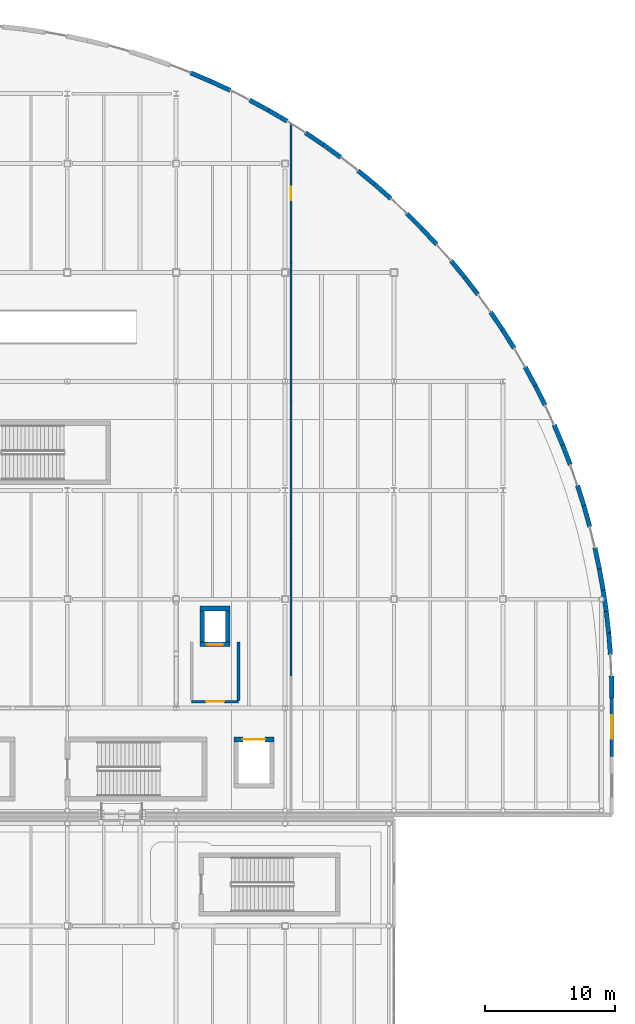
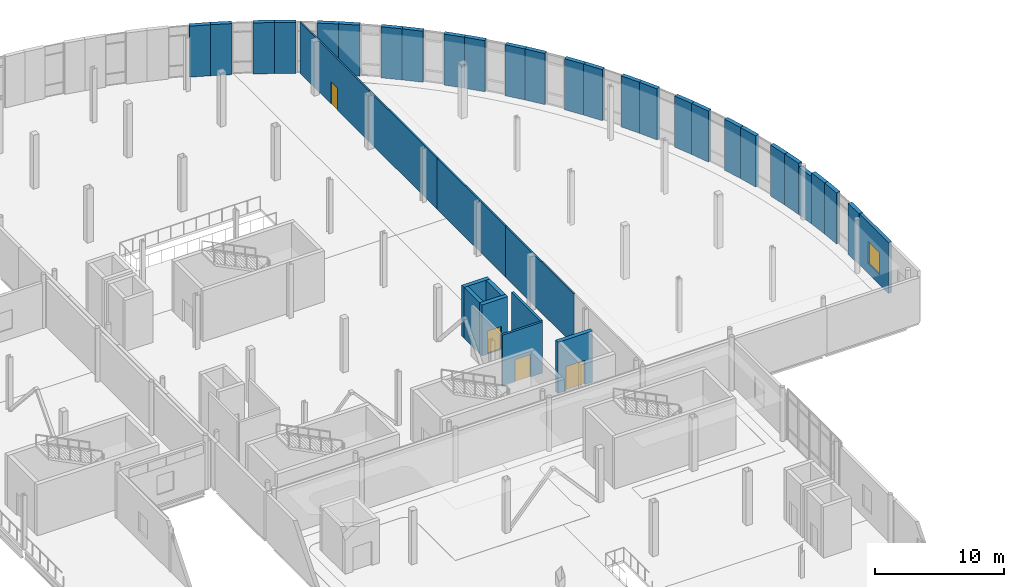
# One storey, part 73 of 104: 38 walls, 4 doors, 1 window, 5 openings.
"""IFC4 building model written with IfcOpenShell, lengths in metres."""

from ifc_helpers import new_model, si_unit, direction, frame, frame_2d, origin, place, context, subcontext, project, spatial, rectangle, extrude, material, layer, layer_set, type_object, element, fill, save


model = new_model("IFC4")

# Units and contexts
model_context = context("Model", 3, precision=1e-05, world=origin(), true_north=direction((0.0, 1.0)))
body_context = subcontext(model_context, "Body", "Model", "MODEL_VIEW")
ifc_project = project(units=[si_unit("LENGTHUNIT", "METRE"), si_unit("AREAUNIT", "SQUARE_METRE"), si_unit("VOLUMEUNIT", "CUBIC_METRE"), si_unit("PLANEANGLEUNIT", "RADIAN"), si_unit("MASSUNIT", "GRAM", prefix="KILO"), si_unit("THERMODYNAMICTEMPERATUREUNIT", "KELVIN")], contexts=[model_context])

# Site, building, storey
site_placement = place(None, origin())
site = spatial("IfcSite", under=ifc_project, at=site_placement, CompositionType="ELEMENT")
building_placement = place(site_placement, origin())
building = spatial("IfcBuilding", under=site, at=building_placement, Name="Lustrewick Department Store", CompositionType="ELEMENT")
storey_placement = place(building_placement, frame((0.0, 0.0, 11.39990234375)))
storey = spatial("IfcBuildingStorey", under=building, at=storey_placement, Name="L03", CompositionType="ELEMENT", Elevation=11.39990234375)

# Wall, opening, window
ifc_material_1 = material(Name="Precast concrete C40", Category="concrete")
ifc_layer_1 = layer(ifc_material_1, 0.280029296875, Name="Precast concrete C40")
ifc_layer_set_1 = layer_set([ifc_layer_1], Name="Precast concrete C40")
wall_type_1 = type_object("IfcWallType", Name="EW03", PredefinedType="STANDARD", material=ifc_layer_set_1)
wall_1_placement = place(storey_placement, frame((168.0, 55.074951171875, 0.0), z_axis=(0.0, 0.0, 1.0), x_axis=(0.0, 1.0, 0.0)))
wall_1 = element("IfcWall", 1, at=wall_1_placement, inside=storey, type_object=wall_type_1, Name="L03 V4 Exterior Wall EW03", PredefinedType="STANDARD", context=body_context, shape_type="SweptSolid", body=[
    extrude(rectangle(XDim=4.525146484375, YDim=0.280029296875, at=frame_2d((2.2626953125, 0.0))), origin(), (0.0, 0.0, 1.0), 4.84521484375),
])
opening_1_placement = place(wall_1_placement, frame((1.362548828125, 0.0, 0.949951171875)))
opening_1 = element("IfcOpeningElement", 2, at=opening_1_placement, cuts=wall_1, Name="Opening WN10", PredefinedType="OPENING", context=body_context, shape_type="SweptSolid", body=[
    extrude(rectangle(XDim=1.800048828125, YDim=2.10009765625, at=frame_2d((0.89990234375, 1.050048828125))), frame((0.0, 0.14990234375, 0.0), z_axis=(0.0, -1.0, 0.0), x_axis=(1.0, 0.0, 0.0)), (0.0, 0.0, 1.0), 0.300048828125),
])
ifc_material_2 = material(Name="Thermally broken Low-E triple-glazed window", Category="glass")
window_type = type_object("IfcWindowType", Name="WN10", PartitioningType="DOUBLE_PANEL_VERTICAL", PredefinedType="WINDOW", material=ifc_material_2)
window_placement = place(opening_1_placement, origin())
window = element("IfcWindow", 3, at=window_placement, inside=storey, type_object=window_type, Name="L03 Art Nouveau Window WN10", OverallHeight=2.10009765625, OverallWidth=1.800048828125, PartitioningType="SINGLE_PANEL", PredefinedType="WINDOW", context=body_context, shape_type="SweptSolid", body=[
    extrude(rectangle(XDim=1.800048828125, YDim=2.10009765625, at=frame_2d((0.89990234375, 1.050048828125))), frame((0.0, 0.030029296875, 0.0), z_axis=(0.0, -1.0, 0.0), x_axis=(1.0, 0.0, 0.0)), (0.0, 0.0, 1.0), 0.06005859375),
])
fill(opening_1, window)

# Walls
ifc_layer_2 = layer(ifc_material_1, 0.35009765625, Name="Precast concrete C40")
ifc_layer_set_2 = layer_set([ifc_layer_2], Name="Precast concrete C40")
wall_type_2 = type_object("IfcWallType", Name="EW06", PredefinedType="STANDARD", material=ifc_layer_set_2)
wall_2_placement = place(storey_placement, frame((168.0, 59.60009765625, 0.0), z_axis=(0.0, 0.0, 1.0), x_axis=(-0.015966320801, 0.999872530176, 0.0)))
element("IfcWall", 4, at=wall_2_placement, inside=storey, type_object=wall_type_2, Name="L03 V4 Exterior Wall EW06", PredefinedType="STANDARD", context=body_context, shape_type="SweptSolid", body=[
    extrude(rectangle(XDim=1.666748046875, YDim=0.35009765625, at=frame_2d((0.83349609375, 0.0))), origin(), (0.0, 0.0, 1.0), 4.84521484375),
])
wall_3_placement = place(storey_placement, frame((167.893310546875, 62.931640625, 0.0), z_axis=(0.0, 0.0, 1.0), x_axis=(-0.080111941316, 0.996785873123, 0.0)))
element("IfcWall", 5, at=wall_3_placement, inside=storey, type_object=wall_type_2, Name="L03 V4 Exterior Wall EW06", PredefinedType="STANDARD", context=body_context, shape_type="SweptSolid", body=[
    extrude(rectangle(XDim=1.6669921875, YDim=0.35009765625, at=frame_2d((0.83349609375, 0.0))), origin(), (0.0, 0.0, 1.0), 4.84521484375),
])
wall_4_placement = place(storey_placement, frame((167.759765625, 64.59326171875, 0.0), z_axis=(0.0, 0.0, 1.0), x_axis=(-0.112055133137, 0.993701991111, 0.0)))
element("IfcWall", 6, at=wall_4_placement, inside=storey, type_object=wall_type_2, Name="L03 V4 Exterior Wall EW06", PredefinedType="STANDARD", context=body_context, shape_type="SweptSolid", body=[
    extrude(rectangle(XDim=1.666748046875, YDim=0.35009765625, at=frame_2d((0.83349609375, 0.0))), origin(), (0.0, 0.0, 1.0), 4.84521484375),
])
wall_5_placement = place(storey_placement, frame((167.572998046875, 66.24951171875, 0.0), z_axis=(0.0, 0.0, 1.0), x_axis=(-0.143676460631, 0.989624714051, 0.0)))
element("IfcWall", 7, at=wall_5_placement, inside=storey, type_object=wall_type_2, Name="L03 V4 Exterior Wall EW06", PredefinedType="STANDARD", context=body_context, shape_type="SweptSolid", body=[
    extrude(rectangle(XDim=1.6669921875, YDim=0.35009765625, at=frame_2d((0.83349609375, 0.0))), origin(), (0.0, 0.0, 1.0), 4.487060546875),
])
for number, where, z_axis, x_axis, name in (
    (8, (167.33349609375, 67.899169921875, 0.0), (0.0, 0.0, 1.0), (-0.175456075248, 0.984487260282, 0.0), "L03 V4 Exterior Wall EW06"),
    (9, (167.041015625, 69.540283203125, 0.0), (0.0, 0.0, 1.0), (-0.206807613682, 0.978381628468, 0.0), "L03 V4 Exterior Wall EW06"),
    (10, (166.29931640625, 72.7900390625, 0.0), (0.0, 0.0, 1.0), (-0.269184447228, 0.96308864253, 0.0), "L03 V4 Exterior Wall EW06"),
):
    element("IfcWall", number, at=place(storey_placement, frame(where, z_axis=z_axis, x_axis=x_axis)), inside=storey, type_object=wall_type_2, Name=name, PredefinedType="STANDARD", context=body_context, shape_type="SweptSolid", body=[
        extrude(rectangle(XDim=1.6669921875, YDim=0.35009765625, at=frame_2d((0.83349609375, 0.0))), origin(), (0.0, 0.0, 1.0), 4.84521484375),
    ])
wall_6_placement = place(storey_placement, frame((165.8505859375, 74.3955078125, 0.0), z_axis=(0.0, 0.0, 1.0), x_axis=(-0.299834214299, 0.953991322778, 0.0)))
element("IfcWall", 11, at=wall_6_placement, inside=storey, type_object=wall_type_2, Name="L03 V4 Exterior Wall EW06", PredefinedType="STANDARD", context=body_context, shape_type="SweptSolid", body=[
    extrude(rectangle(XDim=1.666748046875, YDim=0.35009765625, at=frame_2d((0.83349609375, 0.0))), origin(), (0.0, 0.0, 1.0), 4.84521484375),
])
wall_7_placement = place(storey_placement, frame((164.80029296875, 77.55908203125, 0.0), z_axis=(0.0, 0.0, 1.0), x_axis=(-0.360303696609, 0.932835058416, 0.0)))
element("IfcWall", 12, at=wall_7_placement, inside=storey, type_object=wall_type_2, Name="L03 V4 Exterior Wall EW06", PredefinedType="STANDARD", context=body_context, shape_type="SweptSolid", body=[
    extrude(rectangle(XDim=1.6669921875, YDim=0.35009765625, at=frame_2d((0.83349609375, 0.0))), origin(), (0.0, 0.0, 1.0), 4.84521484375),
])
for number, where, z_axis, x_axis, name in (
    (13, (164.19970703125, 79.114013671875, 0.0), (0.0, 0.0, 1.0), (-0.39007957399, 0.92078114987, 0.0), "L03 V4 Exterior Wall EW06"),
    (14, (162.850341796875, 82.162109375, 0.0), (0.0, 0.0, 1.0), (-0.448209338965, 0.893928626046, 0.0), "L03 V4 Exterior Wall EW06"),
    (15, (162.103271484375, 83.652099609375, 0.0), (0.0, 0.0, 1.0), (-0.476787978947, 0.879018329235, 0.0), "L03 V4 Exterior Wall EW06"),
    (16, (160.46728515625, 86.556396484375, 0.0), (0.0, 0.0, 1.0), (-0.531985550055, 0.846753431958, 0.0), "L03 V4 Exterior Wall EW06"),
):
    element("IfcWall", number, at=place(storey_placement, frame(where, z_axis=z_axis, x_axis=x_axis)), inside=storey, type_object=wall_type_2, Name=name, PredefinedType="STANDARD", context=body_context, shape_type="SweptSolid", body=[
        extrude(rectangle(XDim=1.666748046875, YDim=0.35009765625, at=frame_2d((0.83349609375, 0.0))), origin(), (0.0, 0.0, 1.0), 4.84521484375),
    ])
for number, where, z_axis, x_axis, name in (
    (17, (159.58056640625, 87.9677734375, 0.0), (0.0, 0.0, 1.0), (-0.558884114605, 0.829245769626, 0.0), "L03 V4 Exterior Wall EW06"),
    (18, (157.673583984375, 90.70166015625, 0.0), (0.0, 0.0, 1.0), (-0.610863788379, 0.791735708458, 0.0), "L03 V4 Exterior Wall EW06"),
    (19, (156.6552734375, 92.021484375, 0.0), (0.0, 0.0, 1.0), (-0.63595364507, 0.771727258377, 0.0), "L03 V4 Exterior Wall EW06"),
):
    element("IfcWall", number, at=place(storey_placement, frame(where, z_axis=z_axis, x_axis=x_axis)), inside=storey, type_object=wall_type_2, Name=name, PredefinedType="STANDARD", context=body_context, shape_type="SweptSolid", body=[
        extrude(rectangle(XDim=1.6669921875, YDim=0.35009765625, at=frame_2d((0.83349609375, 0.0))), origin(), (0.0, 0.0, 1.0), 4.84521484375),
    ])
wall_8_placement = place(storey_placement, frame((154.494384765625, 94.5595703125, 0.0), z_axis=(0.0, 0.0, 1.0), x_axis=(-0.684038569811, 0.72944584104, 0.0)))
element("IfcWall", 20, at=wall_8_placement, inside=storey, type_object=wall_type_2, Name="L03 V4 Exterior Wall EW06", PredefinedType="STANDARD", context=body_context, shape_type="SweptSolid", body=[
    extrude(rectangle(XDim=1.666748046875, YDim=0.35009765625, at=frame_2d((0.83349609375, 0.0))), origin(), (0.0, 0.0, 1.0), 4.84521484375),
])
for number, where, z_axis, x_axis, name in (
    (21, (153.354248046875, 95.775390625, 0.0), (0.0, 0.0, 1.0), (-0.707106781187, 0.707106781187, 0.0), "L03 V4 Exterior Wall EW06"),
    (22, (150.959716796875, 98.094482421875, 0.0), (0.0, 0.0, 1.0), (-0.750913960524, 0.660400048372, 0.0), "L03 V4 Exterior Wall EW06"),
    (23, (149.7080078125, 99.1953125, 0.0), (0.0, 0.0, 1.0), (-0.771858358272, 0.63579452244, 0.0), "L03 V4 Exterior Wall EW06"),
    (24, (147.101806640625, 101.2734375, 0.0), (0.0, 0.0, 1.0), (-0.810883849923, 0.585207127378, 0.0), "L03 V4 Exterior Wall EW06"),
):
    element("IfcWall", number, at=place(storey_placement, frame(where, z_axis=z_axis, x_axis=x_axis)), inside=storey, type_object=wall_type_2, Name=name, PredefinedType="STANDARD", context=body_context, shape_type="SweptSolid", body=[
        extrude(rectangle(XDim=1.6669921875, YDim=0.35009765625, at=frame_2d((0.83349609375, 0.0))), origin(), (0.0, 0.0, 1.0), 4.84521484375),
    ])
for number, where, z_axis, x_axis, name in (
    (25, (145.75, 102.2490234375, 0.0), (0.0, 0.0, 1.0), (-0.82920001489, 0.558951997319, 0.0), "L03 V4 Exterior Wall EW06"),
    (26, (142.956298828125, 104.0673828125, 0.0), (0.0, 0.0, 1.0), (-0.863279121384, 0.504726815794, 0.0), "L03 V4 Exterior Wall EW06"),
    (27, (141.517333984375, 104.90869140625, 0.0), (0.0, 0.0, 1.0), (-0.879112994826, 0.476613409724, 0.0), "L03 V4 Exterior Wall EW06"),
):
    element("IfcWall", number, at=place(storey_placement, frame(where, z_axis=z_axis, x_axis=x_axis)), inside=storey, type_object=wall_type_2, Name=name, PredefinedType="STANDARD", context=body_context, shape_type="SweptSolid", body=[
        extrude(rectangle(XDim=1.666748046875, YDim=0.35009765625, at=frame_2d((0.83349609375, 0.0))), origin(), (0.0, 0.0, 1.0), 4.84521484375),
    ])
wall_9_placement = place(storey_placement, frame((138.56201171875, 106.450439453125, 0.0), z_axis=(0.0, 0.0, 1.0), x_axis=(-0.907852195258, 0.419290342801, 0.0)))
element("IfcWall", 28, at=wall_9_placement, inside=storey, type_object=wall_type_2, Name="L03 V4 Exterior Wall EW06", PredefinedType="STANDARD", context=body_context, shape_type="SweptSolid", body=[
    extrude(rectangle(XDim=1.6669921875, YDim=0.35009765625, at=frame_2d((0.83349609375, 0.0))), origin(), (0.0, 0.0, 1.0), 4.84521484375),
])
wall_10_placement = place(storey_placement, frame((137.048583984375, 107.1494140625, 0.0), z_axis=(0.0, 0.0, 1.0), x_axis=(-0.920728531671, 0.390203755706, 0.0)))
element("IfcWall", 29, at=wall_10_placement, inside=storey, type_object=wall_type_2, Name="L03 V4 Exterior Wall EW06", PredefinedType="STANDARD", context=body_context, shape_type="SweptSolid", body=[
    extrude(rectangle(XDim=1.666748046875, YDim=0.35009765625, at=frame_2d((0.83349609375, 0.0))), origin(), (0.0, 0.0, 1.0), 4.84521484375),
])

# Wall, opening, door
ifc_material_3 = material(Name="Autoclaved aerated concrete blockwork and fire board", Category="masonry")
ifc_layer_3 = layer(ifc_material_3, 0.205078125, Name="Autoclaved aerated concrete blockwork and fire board")
ifc_layer_set_3 = layer_set([ifc_layer_3], Name="Autoclaved aerated concrete blockwork and fire board")
wall_type_3 = type_object("IfcWallType", Name="PW02", PredefinedType="PARTITIONING", material=ifc_layer_set_3)
wall_11_placement = place(storey_placement, frame((135.60009765625, 59.300048828125, 0.0), z_axis=(0.0, 0.0, 1.0), x_axis=(1.0, 0.0, 0.0)))
wall_11 = element("IfcWall", 30, at=wall_11_placement, inside=storey, type_object=wall_type_3, Name="L03 Firefighting Lift Lobby FFL-03 PW02", PredefinedType="PARTITIONING", context=body_context, shape_type="SweptSolid", body=[
    extrude(rectangle(XDim=3.599853515625, YDim=0.205078125, at=frame_2d((1.7998046875, 0.0))), origin(), (0.0, 0.0, 1.0), 4.84521484375),
])
opening_2_placement = place(wall_11_placement, frame((1.10009765625, 0.0, 0.0)))
opening_2 = element("IfcOpeningElement", 31, at=opening_2_placement, cuts=wall_11, Name="Opening D-L03-054", PredefinedType="OPENING", context=body_context, shape_type="SweptSolid", body=[
    extrude(rectangle(XDim=1.39990234375, YDim=2.14990234375, at=frame_2d((0.699951171875, 1.074951171875))), frame((0.0, 0.112548828125, 0.0), z_axis=(0.0, -1.0, 0.0), x_axis=(1.0, 0.0, 0.0)), (0.0, 0.0, 1.0), 0.22509765625),
])
ifc_material_4 = material(Name="Steel fire door Class B EI 60", Category="steel")
door_type_1 = type_object("IfcDoorType", Name="DT-08", OperationType="NOTDEFINED", PredefinedType="DOOR", material=ifc_material_4)
door_1_placement = place(opening_2_placement, origin())
door_1 = element("IfcDoor", 32, at=door_1_placement, inside=storey, type_object=door_type_1, Name="L03 Firefighting Lift Lobby FFL-03 Door D-L03-054", OperationType="SINGLE_SWING_RIGHT", OverallHeight=2.14990234375, OverallWidth=1.39990234375, PredefinedType="DOOR", context=body_context, shape_type="SweptSolid", body=[
    extrude(rectangle(XDim=1.39990234375, YDim=2.14990234375, at=frame_2d((0.699951171875, 1.074951171875))), frame((0.0, 0.02490234375, 0.0), z_axis=(0.0, -1.0, 0.0), x_axis=(1.0, 0.0, 0.0)), (0.0, 0.0, 1.0), 0.050048828125),
])
fill(opening_2, door_1)

# Wall
wall_12_placement = place(storey_placement, frame((139.199951171875, 59.3974609375, 0.0), z_axis=(0.0, 0.0, 1.0), x_axis=(0.0, 1.0, 0.0)))
element("IfcWall", 33, at=wall_12_placement, inside=storey, type_object=wall_type_3, Name="L03 Firefighting Lift Lobby FFL-03 PW02", PredefinedType="PARTITIONING", context=body_context, shape_type="SweptSolid", body=[
    extrude(rectangle(XDim=4.50244140625, YDim=0.205078125, at=frame_2d((2.251220703125, 0.0))), origin(), (0.0, 0.0, 1.0), 4.84521484375),
])

# Wall, opening, door
ifc_material_5 = material(Name="Acoustic gypsum stud corridor partition", Category="gypsum")
ifc_layer_4 = layer(ifc_material_5, 0.135009765625, Name="Acoustic gypsum stud corridor partition")
ifc_layer_set_4 = layer_set([ifc_layer_4], Name="Acoustic gypsum stud corridor partition")
wall_type_4 = type_object("IfcWallType", Name="PW06", PredefinedType="PARTITIONING", material=ifc_layer_set_4)
wall_13_placement = place(storey_placement, frame((143.248291015625, 103.8603515625, 0.0), z_axis=(0.0, 0.0, 1.0), x_axis=(0.0, -1.0, 0.0)))
wall_13 = element("IfcWall", 34, at=wall_13_placement, inside=storey, type_object=wall_type_4, Name="L03 Merchandise Selection Studio PW06", PredefinedType="PARTITIONING", context=body_context, shape_type="SweptSolid", body=[
    extrude(rectangle(XDim=10.747314453125, YDim=0.135009765625, at=frame_2d((5.37353515625, 0.0))), origin(), (0.0, 0.0, 1.0), 4.84521484375),
])
opening_3_placement = place(wall_13_placement, frame((4.8486328125, 0.0, 0.0)))
opening_3 = element("IfcOpeningElement", 35, at=opening_3_placement, cuts=wall_13, Name="Opening D-L03-056", PredefinedType="OPENING", context=body_context, shape_type="SweptSolid", body=[
    extrude(rectangle(XDim=1.050048828125, YDim=2.10009765625, at=frame_2d((0.52490234375, 1.050048828125))), frame((0.0, 0.07763671875, 0.0), z_axis=(0.0, -1.0, 0.0), x_axis=(1.0, 0.0, 0.0)), (0.0, 0.0, 1.0), 0.155029296875),
])
ifc_material_6 = material(Name="Acoustic oak veneer office door", Category="wood")
door_type_2 = type_object("IfcDoorType", Name="DT-10", OperationType="NOTDEFINED", PredefinedType="DOOR", material=ifc_material_6)
door_2_placement = place(opening_3_placement, origin())
door_2 = element("IfcDoor", 36, at=door_2_placement, inside=storey, type_object=door_type_2, Name="L03 Merchandise Selection Studio Door D-L03-056", OperationType="SINGLE_SWING_RIGHT", OverallHeight=2.10009765625, OverallWidth=1.050048828125, PredefinedType="DOOR", context=body_context, shape_type="SweptSolid", body=[
    extrude(rectangle(XDim=1.050048828125, YDim=2.10009765625, at=frame_2d((0.52490234375, 1.050048828125))), frame((0.0, 0.02490234375, 0.0), z_axis=(0.0, -1.0, 0.0), x_axis=(1.0, 0.0, 0.0)), (0.0, 0.0, 1.0), 0.050048828125),
])
fill(opening_3, door_2)

# Walls
wall_14_placement = place(storey_placement, frame((143.248291015625, 93.113037109375, 0.0), z_axis=(0.0, 0.0, 1.0), x_axis=(0.0, -1.0, 0.0)))
element("IfcWall", 37, at=wall_14_placement, inside=storey, type_object=wall_type_4, Name="L03 Merchandise Selection Studio PW06", PredefinedType="PARTITIONING", context=body_context, shape_type="SweptSolid", body=[
    extrude(rectangle(XDim=10.60595703125, YDim=0.135009765625, at=frame_2d((5.302978515625, 0.0))), origin(), (0.0, 0.0, 1.0), 4.84521484375),
])
wall_15_placement = place(storey_placement, frame((143.248291015625, 82.507080078125, 0.0), z_axis=(0.0, 0.0, 1.0), x_axis=(0.0, -1.0, 0.0)))
element("IfcWall", 38, at=wall_15_placement, inside=storey, type_object=wall_type_4, Name="L03 Merchandise Selection Studio PW06", PredefinedType="PARTITIONING", context=body_context, shape_type="SweptSolid", body=[
    extrude(rectangle(XDim=10.60546875, YDim=0.135009765625, at=frame_2d((5.302734375, 0.0))), origin(), (0.0, 0.0, 1.0), 4.84521484375),
])
wall_16_placement = place(storey_placement, frame((143.248291015625, 71.901611328125, 0.0), z_axis=(0.0, 0.0, 1.0), x_axis=(0.0, -1.0, 0.0)))
element("IfcWall", 39, at=wall_16_placement, inside=storey, type_object=wall_type_4, Name="L03 Merchandise Selection Studio PW06", PredefinedType="PARTITIONING", context=body_context, shape_type="SweptSolid", body=[
    extrude(rectangle(XDim=10.60595703125, YDim=0.135009765625, at=frame_2d((5.302978515625, 0.0))), origin(), (0.0, 0.0, 1.0), 4.84521484375),
])

# Wall, opening, door
ifc_material_7 = material(Name="Concrete C40", Category="concrete")
ifc_layer_5 = layer(ifc_material_7, 0.360107421875, Name="Concrete C40")
ifc_layer_set_5 = layer_set([ifc_layer_5], Name="Concrete C40")
wall_type_5 = type_object("IfcWallType", Name="SW04", PredefinedType="SHEAR", material=ifc_layer_set_5)
wall_17_placement = place(storey_placement, frame((136.239990234375, 63.719970703125, 0.0), z_axis=(0.0, 0.0, 1.0), x_axis=(1.0, 0.0, 0.0)))
wall_17 = element("IfcWall", 40, at=wall_17_placement, inside=storey, type_object=wall_type_5, Name="L03 Lift FFL-03 Shaft Wall -Y", PredefinedType="SHEAR", context=body_context, shape_type="SweptSolid", body=[
    extrude(rectangle(XDim=2.320068359375, YDim=0.360107421875, at=frame_2d((1.16015625, 0.0))), origin(), (0.0, 0.0, 1.0), 4.84521484375),
])
opening_4_placement = place(wall_17_placement, frame((0.534912109375, 0.0, 0.0)))
opening_4 = element("IfcOpeningElement", 41, at=opening_4_placement, cuts=wall_17, Name="Opening LD-L03-03", PredefinedType="OPENING", context=body_context, shape_type="SweptSolid", body=[
    extrude(rectangle(XDim=1.25, YDim=2.199951171875, at=frame_2d((0.625, 1.10009765625))), frame((0.0, 0.18994140625, 0.0), z_axis=(0.0, -1.0, 0.0), x_axis=(1.0, 0.0, 0.0)), (0.0, 0.0, 1.0), 0.380126953125),
])
ifc_material_8 = material(Name="Stainless steel firefighting lift landing door EI 90", Category="steel")
door_type_3 = type_object("IfcDoorType", Name="DT-15", OperationType="NOTDEFINED", PredefinedType="DOOR", material=ifc_material_8)
door_3_placement = place(opening_4_placement, frame((1.25, 0.0, 0.0), z_axis=(0.0, 0.0, 1.0), x_axis=(-1.0, 0.0, 0.0)))
door_3 = element("IfcDoor", 42, at=door_3_placement, inside=storey, type_object=door_type_3, Name="L03 Lift FFL-03 Sliding Landing Door LD-L03-03", OperationType="DOUBLE_DOOR_SLIDING", OverallHeight=2.199951171875, OverallWidth=1.25, PredefinedType="DOOR", context=body_context, shape_type="SweptSolid", body=[
    extrude(rectangle(XDim=1.25, YDim=2.199951171875, at=frame_2d((0.625, 1.10009765625))), frame((0.0, 0.02490234375, 0.0), z_axis=(0.0, -1.0, 0.0), x_axis=(1.0, 0.0, 0.0)), (0.0, 0.0, 1.0), 0.050048828125),
])
fill(opening_4, door_3)

# Walls
wall_18_placement = place(storey_placement, frame((138.3798828125, 63.89990234375, 0.0), z_axis=(0.0, 0.0, 1.0), x_axis=(0.0, 1.0, 0.0)))
element("IfcWall", 43, at=wall_18_placement, inside=storey, type_object=wall_type_5, Name="L03 Lift FFL-03 Shaft Wall +X", PredefinedType="SHEAR", context=body_context, shape_type="SweptSolid", body=[
    extrude(rectangle(XDim=2.400146484375, YDim=0.360107421875, at=frame_2d((1.2001953125, 0.0))), origin(), (0.0, 0.0, 1.0), 4.84521484375),
])
wall_19_placement = place(storey_placement, frame((138.56005859375, 66.47998046875, 0.0), z_axis=(0.0, 0.0, 1.0), x_axis=(-1.0, 0.0, 0.0)))
element("IfcWall", 44, at=wall_19_placement, inside=storey, type_object=wall_type_5, Name="L03 Lift FFL-03 Shaft Wall +Y", PredefinedType="SHEAR", context=body_context, shape_type="SweptSolid", body=[
    extrude(rectangle(XDim=2.320068359375, YDim=0.360107421875, at=frame_2d((1.16015625, 0.0))), origin(), (0.0, 0.0, 1.0), 4.84521484375),
])
wall_20_placement = place(storey_placement, frame((136.419921875, 66.300048828125, 0.0), z_axis=(0.0, 0.0, 1.0), x_axis=(0.0, -1.0, 0.0)))
element("IfcWall", 45, at=wall_20_placement, inside=storey, type_object=wall_type_5, Name="L03 Lift FFL-03 Shaft Wall -X", PredefinedType="SHEAR", context=body_context, shape_type="SweptSolid", body=[
    extrude(rectangle(XDim=2.400146484375, YDim=0.360107421875, at=frame_2d((1.2001953125, 0.0))), origin(), (0.0, 0.0, 1.0), 4.84521484375),
])

# Wall, opening, door
wall_21_placement = place(storey_placement, frame((141.9599609375, 56.3798828125, 0.0), z_axis=(0.0, 0.0, 1.0), x_axis=(-1.0, 0.0, 0.0)))
wall_21 = element("IfcWall", 46, at=wall_21_placement, inside=storey, type_object=wall_type_5, Name="L03 Lift GL-04 Shaft Wall +Y", PredefinedType="SHEAR", context=body_context, shape_type="SweptSolid", body=[
    extrude(rectangle(XDim=3.119873046875, YDim=0.360107421875, at=frame_2d((1.56005859375, 0.0))), origin(), (0.0, 0.0, 1.0), 4.84521484375),
])
opening_5_placement = place(wall_21_placement, frame((0.7099609375, 0.0, 0.0)))
opening_5 = element("IfcOpeningElement", 47, at=opening_5_placement, cuts=wall_21, Name="Opening LD-L03-16", PredefinedType="OPENING", context=body_context, shape_type="SweptSolid", body=[
    extrude(rectangle(XDim=1.699951171875, YDim=2.300048828125, at=frame_2d((0.85009765625, 1.14990234375))), frame((0.0, 0.18994140625, 0.0), z_axis=(0.0, -1.0, 0.0), x_axis=(1.0, 0.0, 0.0)), (0.0, 0.0, 1.0), 0.380126953125),
])
ifc_material_9 = material(Name="Heavy-duty stainless goods lift landing door EI 90", Category="steel")
door_type_4 = type_object("IfcDoorType", Name="DT-17", OperationType="NOTDEFINED", PredefinedType="DOOR", material=ifc_material_9)
door_4_placement = place(opening_5_placement, frame((1.699951171875, 0.0, 0.0), z_axis=(0.0, 0.0, 1.0), x_axis=(-1.0, 0.0, 0.0)))
door_4 = element("IfcDoor", 48, at=door_4_placement, inside=storey, type_object=door_type_4, Name="L03 Lift GL-04 Sliding Landing Door LD-L03-16", OperationType="DOUBLE_DOOR_SLIDING", OverallHeight=2.300048828125, OverallWidth=1.699951171875, PredefinedType="DOOR", context=body_context, shape_type="SweptSolid", body=[
    extrude(rectangle(XDim=1.699951171875, YDim=2.300048828125, at=frame_2d((0.85009765625, 1.14990234375))), frame((0.0, 0.02490234375, 0.0), z_axis=(0.0, -1.0, 0.0), x_axis=(1.0, 0.0, 0.0)), (0.0, 0.0, 1.0), 0.050048828125),
])
fill(opening_5, door_4)

save(model, "model.ifc")
